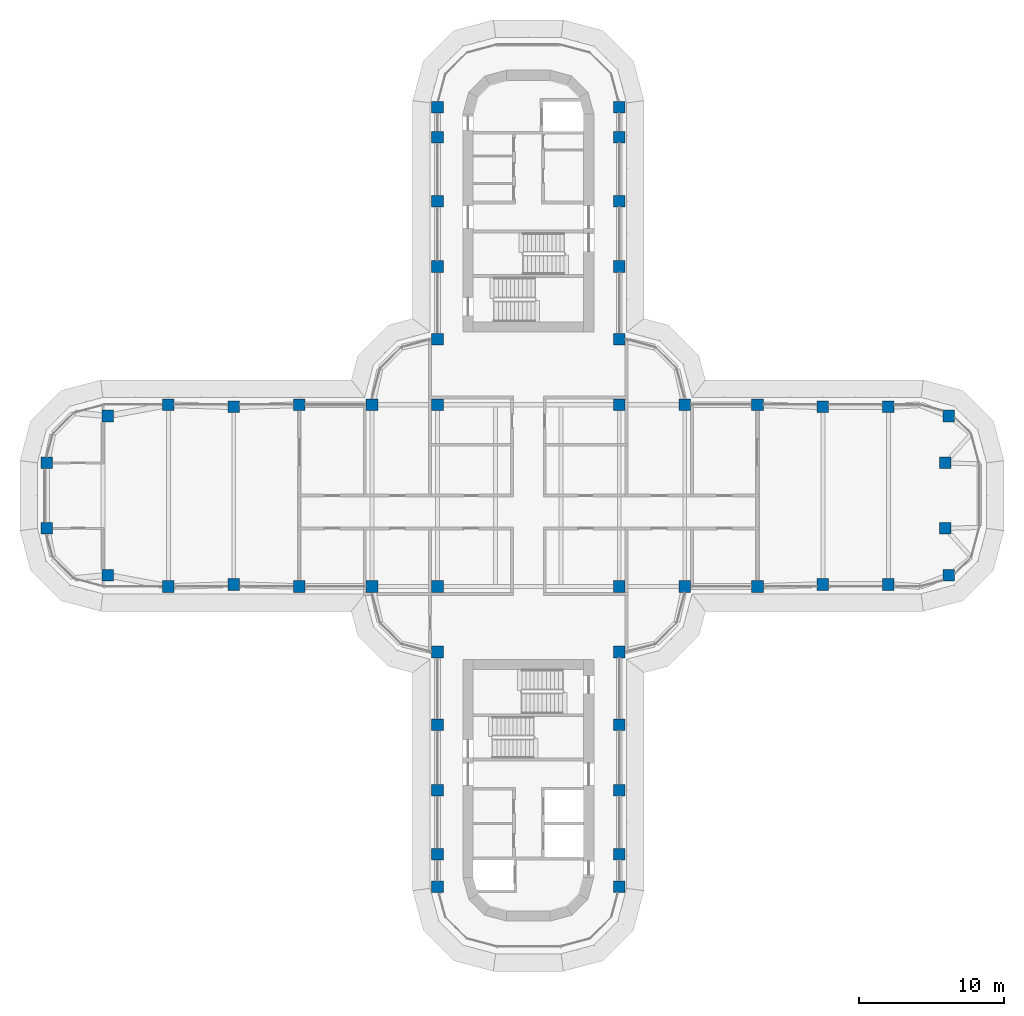
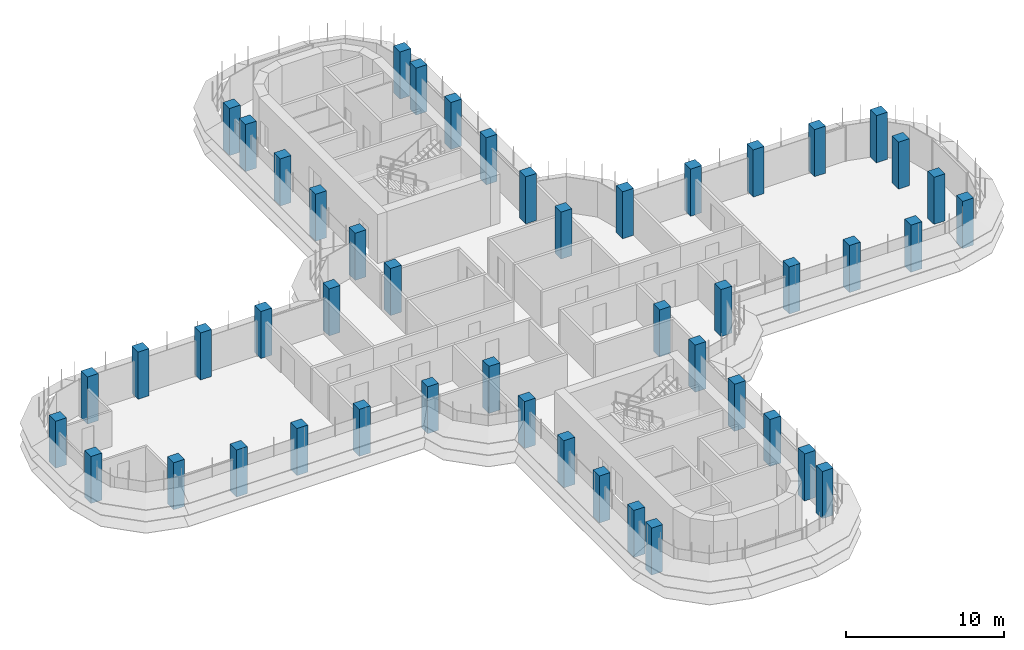
# One storey, part 1 of 19: 48 columns.
"""IFC4 building model written with IfcOpenShell, lengths in metres."""

import ifcopenshell
import ifcopenshell.guid

model = None  # the IFC model being written
_history = None  # IfcOwnerHistory: only IFC2X3 demands one
_inside = {}  # id of a spatial element -> (the spatial element, [elements in it])
_under = {}  # id of a project, library or spatial element -> (it, [spatial elements below it])
_declared = {}  # id of a project -> (the project, [libraries it declares])
_typed = {}  # id of a type object -> (the type object, [elements of that type])
_made_of = {}  # id of a material, layer set ... -> (it, [elements and type objects made of it])


def new_model(schema):
    """Start an empty IFC model of exactly this schema.

    Asked for "IFC4X3", IfcOpenShell would pick the latest addendum, in which some entities
    have other attributes; the version numbers below select the first issue.
    IFC2X3 requires an IfcOwnerHistory on every rooted entity: one is made here for all.
    """
    global model, _history
    if schema == "IFC4X3":
        model = ifcopenshell.file(schema_version=(4, 3, 0, 0))
    else:
        model = ifcopenshell.file(schema=schema)
    _inside.clear()
    _under.clear()
    _declared.clear()
    _typed.clear()
    _made_of.clear()
    _history = None
    if model.schema == "IFC2X3":
        org = make("IfcOrganization", Name="unknown")
        user = make(
            "IfcPersonAndOrganization",
            ThePerson=make("IfcPerson", FamilyName="unknown"),
            TheOrganization=org,
        )
        app = make(
            "IfcApplication",
            ApplicationDeveloper=org,
            Version="unknown",
            ApplicationFullName="unknown",
            ApplicationIdentifier="unknown",
        )
        _history = make(
            "IfcOwnerHistory",
            OwningUser=user,
            OwningApplication=app,
            ChangeAction="ADDED",
            CreationDate=0,
        )
    return model


def make(cls, **values):
    """One entity of the class cls with the attributes given. An attribute that is None is left unset."""
    return model.create_entity(
        cls, **{name: value for name, value in values.items() if value is not None}
    )


def rooted(cls, **values):
    """An entity with a GlobalId (a new one), such as an element, a storey or a relation."""
    return make(cls, GlobalId=ifcopenshell.guid.new(), OwnerHistory=_history, **values)


def si_unit(unit_type, name, prefix=None):
    """IfcSIUnit, for example si_unit("LENGTHUNIT", "METRE", prefix="MILLI")."""
    return make("IfcSIUnit", UnitType=unit_type, Prefix=prefix, Name=name)


def assignment(units):
    """IfcUnitAssignment: the units of a project."""
    return None if units is None else make("IfcUnitAssignment", Units=units)


def point(xyz):
    """IfcCartesianPoint."""
    return None if xyz is None else make("IfcCartesianPoint", Coordinates=xyz)


def direction(xyz):
    """IfcDirection."""
    return None if xyz is None else make("IfcDirection", DirectionRatios=xyz)


def frame(location, z_axis=None, x_axis=None):
    """IfcAxis2Placement3D, a coordinate frame: its origin and axes. An axis left out is left unset."""
    return make(
        "IfcAxis2Placement3D",
        Location=point(location),
        Axis=direction(z_axis),
        RefDirection=direction(x_axis),
    )


def frame_2d(location, x_axis=None):
    """IfcAxis2Placement2D, a coordinate frame in the plane: its origin and x axis."""
    return make(
        "IfcAxis2Placement2D", Location=point(location), RefDirection=direction(x_axis)
    )


def origin():
    """The frame at (0, 0, 0) with its axes left unset."""
    return frame((0.0, 0.0, 0.0))


def origin_2d():
    """The frame at (0, 0) in the plane with its x axis left unset."""
    return frame_2d((0.0, 0.0))


def place(relative_to, where):
    """IfcLocalPlacement: puts the frame where relative to a parent placement (None: the world)."""
    return make(
        "IfcLocalPlacement", PlacementRelTo=relative_to, RelativePlacement=where
    )


def context(
    kind, dimensions, precision=None, world=None, true_north=None, identifier=None
):
    """IfcGeometricRepresentationContext, for example the 3D "Model" context."""
    return make(
        "IfcGeometricRepresentationContext",
        ContextIdentifier=identifier,
        ContextType=kind,
        CoordinateSpaceDimension=dimensions,
        Precision=precision,
        WorldCoordinateSystem=world,
        TrueNorth=true_north,
    )


def subcontext(parent, identifier, kind, view, scale=None):
    """IfcGeometricRepresentationSubContext, for example "Body" below "Model"."""
    return make(
        "IfcGeometricRepresentationSubContext",
        ContextIdentifier=identifier,
        ContextType=kind,
        ParentContext=parent,
        TargetScale=scale,
        TargetView=view,
    )


def project(units=None, contexts=None):
    """IfcProject with its units and contexts."""
    return rooted(
        "IfcProject",
        Name="project",
        RepresentationContexts=contexts,
        UnitsInContext=assignment(units),
    )


def spatial(cls, under=None, at=None, **own):
    """A site, building, storey or space (cls), placed at a placement, below another one or the project."""
    s = rooted(cls, ObjectPlacement=at, **own)
    if under is not None:
        _under.setdefault(under.id(), (under, []))[1].append(s)
    return s


def profile(cls, at=None, kind="AREA", **sizes):
    """A parametric profile (cls). Its sizes go by their IFC names, for example OverallWidth=200.0."""
    return make(cls, ProfileType=kind, Position=at, **sizes)


def rectangle(**sizes):
    """IfcRectangleProfileDef."""
    return profile("IfcRectangleProfileDef", **sizes)


def extrude(swept, where, along, depth):
    """IfcExtrudedAreaSolid: the profile swept, set in the frame where, extruded along a direction by depth."""
    return make(
        "IfcExtrudedAreaSolid",
        SweptArea=swept,
        Position=where,
        ExtrudedDirection=direction(along),
        Depth=depth,
    )


def shape(context_of_items, identifier, shape_type, items):
    """IfcShapeRepresentation: the items that make up one representation, for example the "Body"."""
    return make(
        "IfcShapeRepresentation",
        ContextOfItems=context_of_items,
        RepresentationIdentifier=identifier,
        RepresentationType=shape_type,
        Items=items,
    )


def material(Name=None, Category=None):
    """IfcMaterial."""
    return make("IfcMaterial", Name=Name, Category=Category)


def material_profile(
    of_material, cross_section, Name=None, Category=None, Priority=None
):
    """IfcMaterialProfile: a cross section and its material."""
    return make(
        "IfcMaterialProfile",
        Name=Name,
        Material=of_material,
        Profile=cross_section,
        Priority=Priority,
        Category=Category,
    )


def profile_set(profiles, Name=None, composite=None):
    """IfcMaterialProfileSet."""
    return make(
        "IfcMaterialProfileSet",
        Name=Name,
        MaterialProfiles=profiles,
        CompositeProfile=composite,
    )


def made_of(thing, what):
    """Note that an element or type object is made of a material, layer set ...; save() writes the relation."""
    if what is not None:
        _made_of.setdefault(what.id(), (what, []))[1].append(thing)
    return thing


def type_object(cls, material=None, **own):
    """A type object (cls), such as IfcWallType, which elements share."""
    return made_of(rooted(cls, **own), material)


def element(
    cls,
    number,
    at=None,
    inside=None,
    cuts=None,
    type_object=None,
    material=None,
    context=None,
    identifier="Body",
    shape_type=None,
    held_by="IfcProductDefinitionShape",
    body=None,
    shapes=None,
    **own,
):
    """One element of the class cls, such as IfcWall. Its Tag is "e" and its number.

    at: its placement. inside: the storey or other place that contains it. cuts: it is an
    opening in that element (IfcRelVoidsElement). A single representation is given by context,
    identifier, shape_type and body (its items); several are given by shapes. held_by: the class
    of the entity that holds the representations. save() writes the other relations.
    """
    e = rooted(cls, Tag="e%d" % number, ObjectPlacement=at, **own)
    if body is not None:
        shapes = [shape(context, identifier, shape_type, body)]
    if shapes is not None:
        e.Representation = make(held_by, Representations=shapes)
    if inside is not None:
        _inside.setdefault(inside.id(), (inside, []))[1].append(e)
    if cuts is not None:
        rooted(
            "IfcRelVoidsElement", RelatingBuildingElement=cuts, RelatedOpeningElement=e
        )
    if type_object is not None:
        _typed.setdefault(type_object.id(), (type_object, []))[1].append(e)
    return made_of(e, material)


def aggregate(whole, parts):
    """IfcRelAggregates: a whole, such as a stair, and the parts it consists of."""
    return rooted("IfcRelAggregates", RelatingObject=whole, RelatedObjects=parts)


def save(model, path):
    """Write the relations noted so far, then the file.

    IfcRelAggregates (storeys below a building ...), IfcRelContainedInSpatialStructure (elements
    in a storey), IfcRelDefinesByType, IfcRelAssociatesMaterial and IfcRelDeclares: one each for
    every whole, place, type object, material and project.
    """
    for whole, parts in _under.values():
        aggregate(whole, parts)
    for where, things in _inside.values():
        rooted(
            "IfcRelContainedInSpatialStructure",
            RelatedElements=things,
            RelatingStructure=where,
        )
    for kind, things in _typed.values():
        rooted("IfcRelDefinesByType", RelatedObjects=things, RelatingType=kind)
    for what, things in _made_of.values():
        rooted("IfcRelAssociatesMaterial", RelatedObjects=things, RelatingMaterial=what)
    for by, libraries in _declared.values():
        rooted("IfcRelDeclares", RelatingContext=by, RelatedDefinitions=libraries)
    model.write(path)


model = new_model("IFC4")

# Units and contexts
model_context = context("Model", 3, precision=1e-05, world=origin(), true_north=direction((0.0, 1.0)))
body_context = subcontext(model_context, "Body", "Model", "MODEL_VIEW")
ifc_project = project(units=[si_unit("LENGTHUNIT", "METRE"), si_unit("AREAUNIT", "SQUARE_METRE"), si_unit("VOLUMEUNIT", "CUBIC_METRE"), si_unit("PLANEANGLEUNIT", "RADIAN"), si_unit("MASSUNIT", "GRAM", prefix="KILO")], contexts=[model_context])

# Site, building, storey
site_placement = place(None, origin())
site = spatial("IfcSite", under=ifc_project, at=site_placement, CompositionType="ELEMENT")
building_placement = place(site_placement, origin())
building = spatial("IfcBuilding", under=site, at=building_placement, Name="Zarbagh Exchange Tower", CompositionType="ELEMENT")
storey_placement = place(building_placement, frame((0.0, 0.0, 160.0)))
storey = spatial("IfcBuildingStorey", under=building, at=storey_placement, Name="L38", CompositionType="ELEMENT", Elevation=160.0)

# Columns
ifc_material = material(Name="Concrete C50/60", Category="concrete")
ifc_material_profile = material_profile(ifc_material, rectangle(XDim=0.800048828125, YDim=0.800048828125, at=origin_2d()), Name="RC column 800 x 800 C50/60")
ifc_profile_set = profile_set([ifc_material_profile], Name="Concrete C50/60")
column_type = type_object("IfcColumnType", Name="RC column 800 x 800 C50/60", PredefinedType="COLUMN", material=ifc_profile_set)
for number, where, z_axis, x_axis, name in (
    (1, (-33.110107421875, -2.25, 0.0), (0.0, 0.0, 1.0), (1.0, 0.0, 0.0), "C4 10/S"),
    (2, (-33.110107421875, 2.25, 0.0), (0.0, 0.0, 1.0), (1.0, 0.0, 0.0), "C4 10/T"),
    (3, (-28.907958984375, -5.47509765625, 0.0), (0.0, 0.0, 1.0), (1.0, 0.0, 0.0), "C4 11/R"),
    (4, (-28.907958984375, 5.47509765625, 0.0), (0.0, 0.0, 1.0), (1.0, 0.0, 0.0), "C4 11/U"),
    (5, (-24.75, -6.25, 0.0), (0.0, 0.0, 1.0), (1.0, 0.0, 0.0), "C4 12/R"),
    (6, (-24.75, 6.25, 0.0), (0.0, 0.0, 1.0), (1.0, 0.0, 0.0), "C4 12/U"),
    (7, (-20.25, -6.110107421875, 0.0), (0.0, 0.0, 1.0), (1.0, 0.0, 0.0), "C4 13/R"),
    (8, (-20.25, 6.110107421875, 0.0), (0.0, 0.0, 1.0), (1.0, 0.0, 0.0), "C4 13/U"),
    (9, (-15.75, -6.25, 0.0), (0.0, 0.0, 1.0), (1.0, 0.0, 0.0), "C4 14/R"),
    (10, (-15.75, 6.25, 0.0), (0.0, 0.0, 1.0), (1.0, 0.0, 0.0), "C4 14/U"),
    (11, (-10.75, -6.25, 0.0), (0.0, 0.0, 1.0), (1.0, 0.0, 0.0), "C4 15/R"),
    (12, (-10.75, 6.25, 0.0), (0.0, 0.0, 1.0), (1.0, 0.0, 0.0), "C4 15/U"),
    (13, (-6.25, -26.89990234375, 0.0), (0.0, 0.0, 1.0), (1.0, 0.0, 0.0), "C4 16/L"),
    (14, (-6.25, -24.64990234375, 0.0), (0.0, 0.0, 1.0), (1.0, 0.0, 0.0), "C4 16/M"),
    (15, (-6.25, -20.25, 0.0), (0.0, 0.0, 1.0), (1.0, 0.0, 0.0), "C4 16/N"),
    (16, (-6.25, -15.75, 0.0), (0.0, 0.0, 1.0), (1.0, 0.0, 0.0), "C4 16/P"),
    (17, (-6.25, -10.75, 0.0), (0.0, 0.0, 1.0), (1.0, 0.0, 0.0), "C4 16/Q"),
    (18, (-6.25, -6.25, 0.0), (0.0, 0.0, 1.0), (1.0, 0.0, 0.0), "C4 16/R"),
    (19, (-6.25, 6.25, 0.0), (0.0, 0.0, 1.0), (1.0, 0.0, 0.0), "C4 16/U"),
    (20, (-6.25, 10.75, 0.0), (0.0, 0.0, 1.0), (1.0, 0.0, 0.0), "C4 16/V"),
    (21, (-6.25, 15.75, 0.0), (0.0, 0.0, 1.0), (1.0, 0.0, 0.0), "C4 16/W"),
    (22, (-6.25, 20.25, 0.0), (0.0, 0.0, 1.0), (1.0, 0.0, 0.0), "C4 16/X"),
    (23, (-6.25, 24.64990234375, 0.0), (0.0, 0.0, 1.0), (1.0, 0.0, 0.0), "C4 16/Y"),
    (24, (-6.25, 26.699951171875, 0.0), (0.0, 0.0, 1.0), (1.0, 0.0, 0.0), "C4 16/Z"),
    (25, (6.25, -26.89990234375, 0.0), (0.0, 0.0, 1.0), (1.0, 0.0, 0.0), "C4 19/L"),
    (26, (6.25, -24.64990234375, 0.0), (0.0, 0.0, 1.0), (1.0, 0.0, 0.0), "C4 19/M"),
    (27, (6.25, -20.25, 0.0), (0.0, 0.0, 1.0), (1.0, 0.0, 0.0), "C4 19/N"),
    (28, (6.25, -15.75, 0.0), (0.0, 0.0, 1.0), (1.0, 0.0, 0.0), "C4 19/P"),
    (29, (6.25, -10.75, 0.0), (0.0, 0.0, 1.0), (1.0, 0.0, 0.0), "C4 19/Q"),
    (30, (6.25, -6.25, 0.0), (0.0, 0.0, 1.0), (1.0, 0.0, 0.0), "C4 19/R"),
    (31, (6.25, 6.25, 0.0), (0.0, 0.0, 1.0), (1.0, 0.0, 0.0), "C4 19/U"),
    (32, (6.25, 10.75, 0.0), (0.0, 0.0, 1.0), (1.0, 0.0, 0.0), "C4 19/V"),
    (33, (6.25, 15.75, 0.0), (0.0, 0.0, 1.0), (1.0, 0.0, 0.0), "C4 19/W"),
    (34, (6.25, 20.25, 0.0), (0.0, 0.0, 1.0), (1.0, 0.0, 0.0), "C4 19/X"),
    (35, (6.25, 24.64990234375, 0.0), (0.0, 0.0, 1.0), (1.0, 0.0, 0.0), "C4 19/Y"),
    (36, (6.25, 26.699951171875, 0.0), (0.0, 0.0, 1.0), (1.0, 0.0, 0.0), "C4 19/Z"),
    (37, (10.75, -6.25, 0.0), (0.0, 0.0, 1.0), (1.0, 0.0, 0.0), "C4 20/R"),
    (38, (10.75, 6.25, 0.0), (0.0, 0.0, 1.0), (1.0, 0.0, 0.0), "C4 20/U"),
    (39, (15.75, -6.25, 0.0), (0.0, 0.0, 1.0), (1.0, 0.0, 0.0), "C4 21/R"),
    (40, (15.75, 6.25, 0.0), (0.0, 0.0, 1.0), (1.0, 0.0, 0.0), "C4 21/U"),
    (41, (20.25, -6.110107421875, 0.0), (0.0, 0.0, 1.0), (1.0, 0.0, 0.0), "C4 22/R"),
    (42, (20.25, 6.110107421875, 0.0), (0.0, 0.0, 1.0), (1.0, 0.0, 0.0), "C4 22/U"),
    (43, (24.75, -6.110107421875, 0.0), (0.0, 0.0, 1.0), (1.0, 0.0, 0.0), "C4 23/R"),
    (44, (24.75, 6.110107421875, 0.0), (0.0, 0.0, 1.0), (1.0, 0.0, 0.0), "C4 23/U"),
    (45, (28.907958984375, -5.47509765625, 0.0), (0.0, 0.0, 1.0), (1.0, 0.0, 0.0), "C4 24/R"),
    (46, (28.669921875, -2.25, 0.0), (0.0, 0.0, 1.0), (1.0, 0.0, 0.0), "C4 24/S"),
    (47, (28.669921875, 2.25, 0.0), (0.0, 0.0, 1.0), (1.0, 0.0, 0.0), "C4 24/T"),
    (48, (28.907958984375, 5.47509765625, 0.0), (0.0, 0.0, 1.0), (1.0, 0.0, 0.0), "C4 24/U"),
):
    element("IfcColumn", number, at=place(storey_placement, frame(where, z_axis=z_axis, x_axis=x_axis)), inside=storey, type_object=column_type, Name=name, PredefinedType="COLUMN", context=body_context, shape_type="SweptSolid", body=[
        extrude(rectangle(XDim=0.800048828125, YDim=0.800048828125, at=origin_2d()), origin(), (0.0, 0.0, 1.0), 3.64990234375),
    ])

save(model, "model.ifc")
